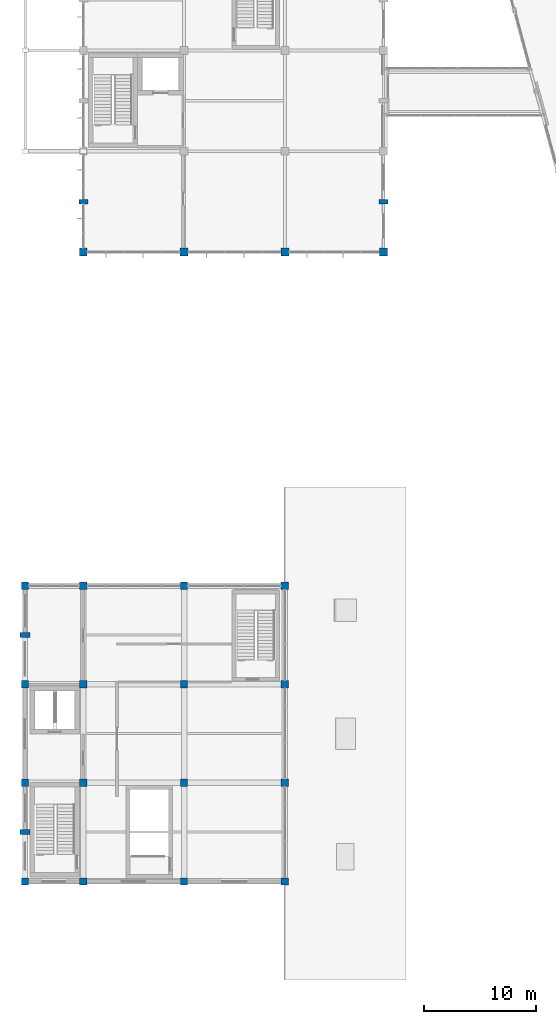
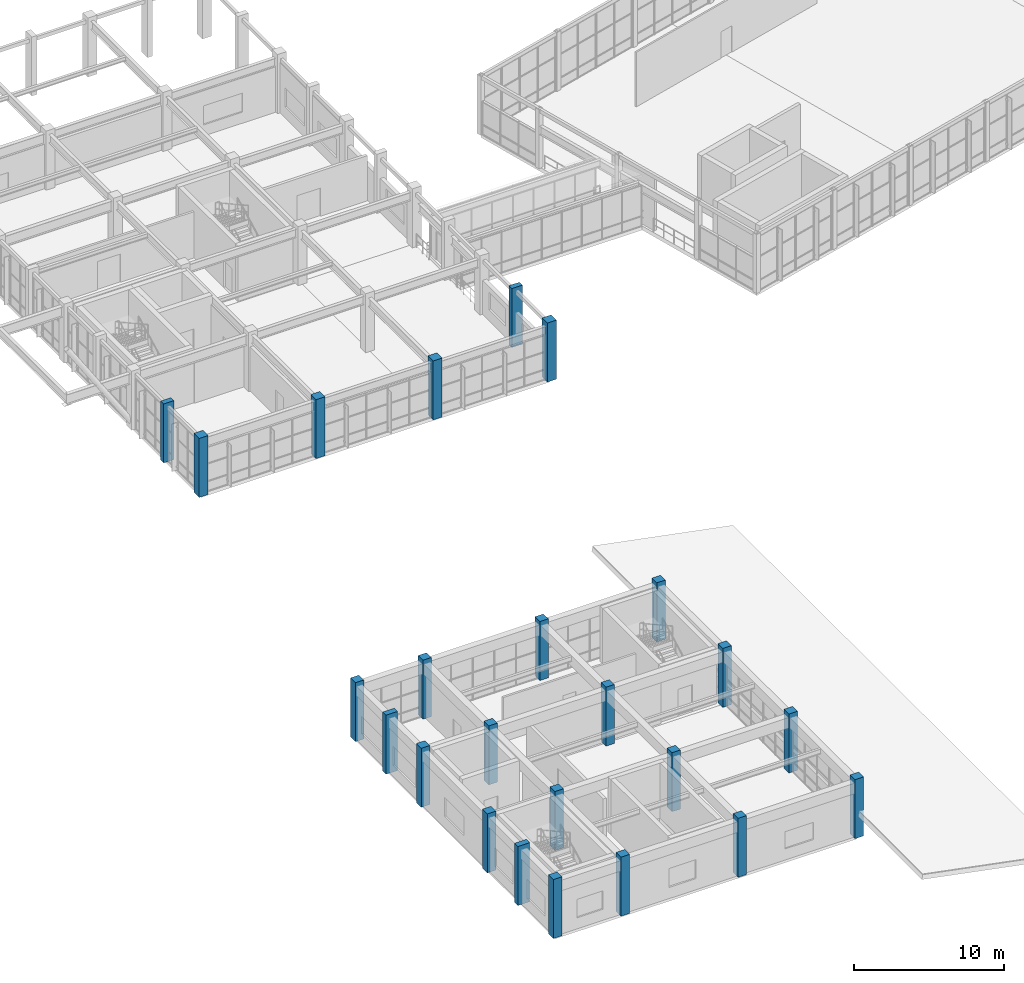
# One storey, part 1 of 99: 24 columns.
"""IFC4 building model written with IfcOpenShell, lengths in metres."""

from ifc_helpers import new_model, si_unit, direction, frame, origin, origin_2d, place, context, subcontext, project, spatial, rectangle, extrude, material, material_profile, profile_set, type_object, element, save


model = new_model("IFC4")

# Units and contexts
model_context = context("Model", 3, precision=1e-05, world=origin(), true_north=direction((0.0, 1.0)))
body_context = subcontext(model_context, "Body", "Model", "MODEL_VIEW")
ifc_project = project(units=[si_unit("LENGTHUNIT", "METRE"), si_unit("AREAUNIT", "SQUARE_METRE"), si_unit("VOLUMEUNIT", "CUBIC_METRE"), si_unit("PLANEANGLEUNIT", "RADIAN"), si_unit("MASSUNIT", "GRAM", prefix="KILO")], contexts=[model_context])

# Site, building, storey
site_placement = place(None, origin())
site = spatial("IfcSite", under=ifc_project, at=site_placement, CompositionType="ELEMENT")
building_placement = place(site_placement, origin())
building = spatial("IfcBuilding", under=site, at=building_placement, Name="Ventoquebrada Cableway Terminal", CompositionType="ELEMENT")
storey_placement = place(building_placement, frame((0.0, 0.0, 9.60009765625)))
storey = spatial("IfcBuildingStorey", under=building, at=storey_placement, Name="L02", CompositionType="ELEMENT", Elevation=9.60009765625)

# Columns
ifc_material = material(Name="Concrete C40/50", Category="concrete")
ifc_material_profile_1 = material_profile(ifc_material, rectangle(XDim=0.64990234375, YDim=0.64990234375, at=origin_2d()), Name="RC-COL-650X650")
ifc_profile_set_1 = profile_set([ifc_material_profile_1], Name="Concrete C40/50")
column_type_1 = type_object("IfcColumnType", Name="COL-RC03", PredefinedType="COLUMN", material=ifc_profile_set_1)
for number, where, z_axis, x_axis, name in (
    (1, (3.0, 11.800048828125, 0.0), (0.0, 0.0, 1.0), (1.0, 0.0, 0.0), "Structural column FC-0007"),
    (2, (3.0, 20.60009765625, 0.0), (0.0, 0.0, 1.0), (1.0, 0.0, 0.0), "Structural column FC-0012"),
    (3, (3.0, 29.39990234375, 0.0), (0.0, 0.0, 1.0), (1.0, 0.0, 0.0), "Structural column FC-0017"),
    (4, (3.0, 38.199951171875, 0.0), (0.0, 0.0, 1.0), (1.0, 0.0, 0.0), "Structural column FC-0022"),
    (5, (8.199951171875, 11.800048828125, 0.0), (0.0, 0.0, 1.0), (1.0, 0.0, 0.0), "Structural column FC-0035"),
    (6, (8.199951171875, 20.60009765625, 0.0), (0.0, 0.0, 1.0), (1.0, 0.0, 0.0), "Structural column FC-0040"),
    (7, (8.199951171875, 29.39990234375, 0.0), (0.0, 0.0, 1.0), (1.0, 0.0, 0.0), "Structural column FC-0045"),
    (8, (8.199951171875, 38.199951171875, 0.0), (0.0, 0.0, 1.0), (1.0, 0.0, 0.0), "Structural column FC-0050"),
    (9, (17.199951171875, 11.800048828125, 0.0), (0.0, 0.0, 1.0), (1.0, 0.0, 0.0), "Structural column FC-0063"),
    (10, (17.199951171875, 20.60009765625, 0.0), (0.0, 0.0, 1.0), (1.0, 0.0, 0.0), "Structural column FC-0068"),
    (11, (17.199951171875, 29.39990234375, 0.0), (0.0, 0.0, 1.0), (1.0, 0.0, 0.0), "Structural column FC-0073"),
    (12, (17.199951171875, 38.199951171875, 0.0), (0.0, 0.0, 1.0), (1.0, 0.0, 0.0), "Structural column FC-0078"),
    (13, (26.199951171875, 11.800048828125, 0.0), (0.0, 0.0, 1.0), (1.0, 0.0, 0.0), "Structural column FC-0091"),
    (14, (26.199951171875, 20.60009765625, 0.0), (0.0, 0.0, 1.0), (1.0, 0.0, 0.0), "Structural column FC-0096"),
    (15, (26.199951171875, 29.39990234375, 0.0), (0.0, 0.0, 1.0), (1.0, 0.0, 0.0), "Structural column FC-0101"),
    (16, (26.199951171875, 38.199951171875, 0.0), (0.0, 0.0, 1.0), (1.0, 0.0, 0.0), "Structural column FC-0106"),
):
    element("IfcColumn", number, at=place(storey_placement, frame(where, z_axis=z_axis, x_axis=x_axis)), inside=storey, type_object=column_type_1, Name=name, PredefinedType="COLUMN", context=body_context, shape_type="SweptSolid", body=[
        extrude(rectangle(XDim=0.64990234375, YDim=0.64990234375, at=origin_2d()), origin(), (0.0, 0.0, 1.0), 4.7998046875),
    ])
ifc_material_profile_2 = material_profile(ifc_material, rectangle(XDim=0.699951171875, YDim=0.699951171875, at=origin_2d()), Name="RC-COL-700X700")
ifc_profile_set_2 = profile_set([ifc_material_profile_2], Name="Concrete C40/50")
column_type_2 = type_object("IfcColumnType", Name="COL-RC04", PredefinedType="COLUMN", material=ifc_profile_set_2)
for number, where, z_axis, x_axis, name in (
    (17, (8.199951171875, 68.0, 0.0), (0.0, 0.0, 1.0), (1.0, 0.0, 0.0), "Structural column FC-0180"),
    (18, (17.199951171875, 68.0, 0.0), (0.0, 0.0, 1.0), (1.0, 0.0, 0.0), "Structural column FC-0220"),
    (19, (26.199951171875, 68.0, 0.0), (0.0, 0.0, 1.0), (1.0, 0.0, 0.0), "Structural column FC-0260"),
    (20, (35.0, 68.0, 0.0), (0.0, 0.0, 1.0), (1.0, 0.0, 0.0), "Structural column FC-0300"),
):
    element("IfcColumn", number, at=place(storey_placement, frame(where, z_axis=z_axis, x_axis=x_axis)), inside=storey, type_object=column_type_2, Name=name, PredefinedType="COLUMN", context=body_context, shape_type="SweptSolid", body=[
        extrude(rectangle(XDim=0.699951171875, YDim=0.699951171875, at=origin_2d()), origin(), (0.0, 0.0, 1.0), 4.7998046875),
    ])
ifc_material_profile_3 = material_profile(ifc_material, rectangle(XDim=0.39990234375, YDim=0.800048828125, at=origin_2d()), Name="RC-PIL-400X800")
ifc_profile_set_3 = profile_set([ifc_material_profile_3], Name="Concrete C40/50")
column_type_3 = type_object("IfcColumnType", Name="PIL-RC01", PredefinedType="PILASTER", material=ifc_profile_set_3)
for number, where, z_axis, x_axis, name in (
    (21, (8.199951171875, 72.5, 0.0), (0.0, 0.0, 1.0), (0.0, 1.0, 0.0), "Facade pilaster FPL-0353"),
    (22, (35.0, 72.5, 0.0), (0.0, 0.0, 1.0), (0.0, 1.0, 0.0), "Facade pilaster FPL-0383"),
):
    element("IfcColumn", number, at=place(storey_placement, frame(where, z_axis=z_axis, x_axis=x_axis)), inside=storey, type_object=column_type_3, Name=name, PredefinedType="PILASTER", context=body_context, shape_type="SweptSolid", body=[
        extrude(rectangle(XDim=0.39990234375, YDim=0.800048828125, at=origin_2d()), origin(), (0.0, 0.0, 1.0), 4.7998046875),
    ])
ifc_material_profile_4 = material_profile(ifc_material, rectangle(XDim=0.449951171875, YDim=0.89990234375, at=origin_2d()), Name="RC-PIL-450X900")
ifc_profile_set_4 = profile_set([ifc_material_profile_4], Name="Concrete C40/50")
column_type_4 = type_object("IfcColumnType", Name="PIL-RC02", PredefinedType="PILASTER", material=ifc_profile_set_4)
for number, where, z_axis, x_axis, name in (
    (23, (3.0, 16.199951171875, 0.0), (0.0, 0.0, 1.0), (0.0, 1.0, 0.0), "Facade pilaster FPL-0154"),
    (24, (3.0, 33.800048828125, 0.0), (0.0, 0.0, 1.0), (0.0, 1.0, 0.0), "Facade pilaster FPL-0159"),
):
    element("IfcColumn", number, at=place(storey_placement, frame(where, z_axis=z_axis, x_axis=x_axis)), inside=storey, type_object=column_type_4, Name=name, PredefinedType="PILASTER", context=body_context, shape_type="SweptSolid", body=[
        extrude(rectangle(XDim=0.449951171875, YDim=0.89990234375, at=origin_2d()), origin(), (0.0, 0.0, 1.0), 4.7998046875),
    ])

save(model, "model.ifc")
